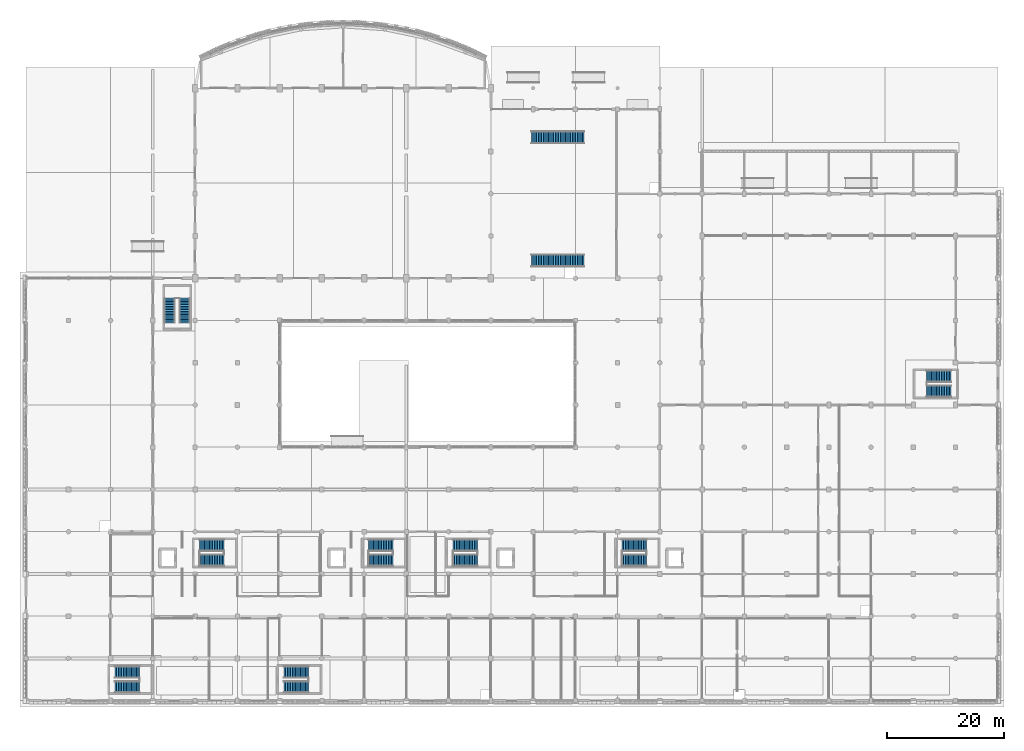
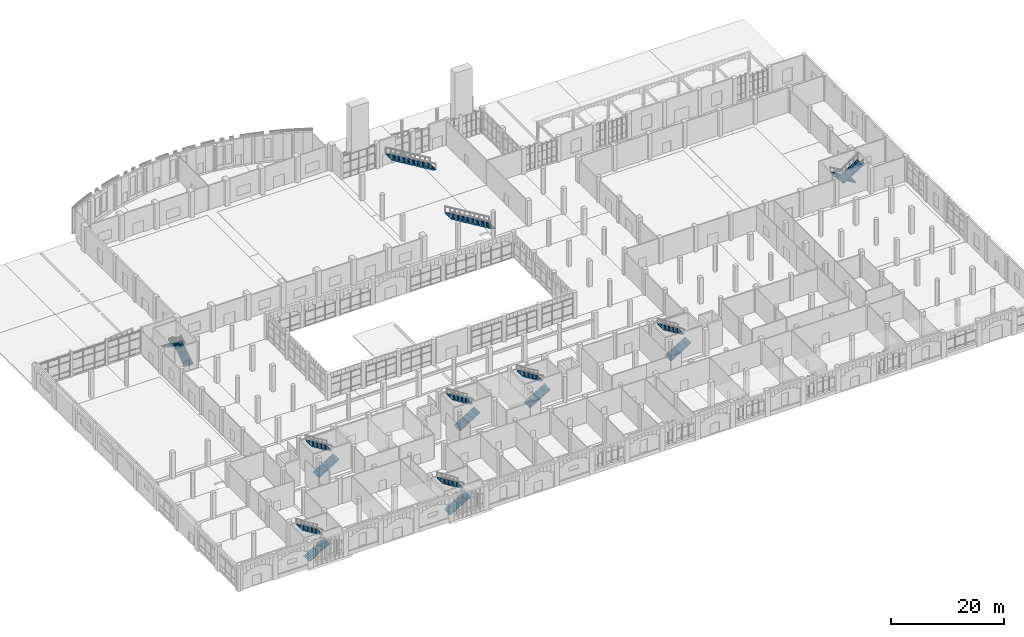
# One storey, part 65 of 85: 18 stair flights, 10 elements without a shape of their own.
"""IFC4 building model written with IfcOpenShell, lengths in metres."""

import ifcopenshell
import ifcopenshell.guid

model = None  # the IFC model being written
_history = None  # IfcOwnerHistory: only IFC2X3 demands one
_inside = {}  # id of a spatial element -> (the spatial element, [elements in it])
_under = {}  # id of a project, library or spatial element -> (it, [spatial elements below it])
_declared = {}  # id of a project -> (the project, [libraries it declares])
_typed = {}  # id of a type object -> (the type object, [elements of that type])
_made_of = {}  # id of a material, layer set ... -> (it, [elements and type objects made of it])


def new_model(schema):
    """Start an empty IFC model of exactly this schema.

    Asked for "IFC4X3", IfcOpenShell would pick the latest addendum, in which some entities
    have other attributes; the version numbers below select the first issue.
    IFC2X3 requires an IfcOwnerHistory on every rooted entity: one is made here for all.
    """
    global model, _history
    if schema == "IFC4X3":
        model = ifcopenshell.file(schema_version=(4, 3, 0, 0))
    else:
        model = ifcopenshell.file(schema=schema)
    _inside.clear()
    _under.clear()
    _declared.clear()
    _typed.clear()
    _made_of.clear()
    _history = None
    if model.schema == "IFC2X3":
        org = make("IfcOrganization", Name="unknown")
        user = make(
            "IfcPersonAndOrganization",
            ThePerson=make("IfcPerson", FamilyName="unknown"),
            TheOrganization=org,
        )
        app = make(
            "IfcApplication",
            ApplicationDeveloper=org,
            Version="unknown",
            ApplicationFullName="unknown",
            ApplicationIdentifier="unknown",
        )
        _history = make(
            "IfcOwnerHistory",
            OwningUser=user,
            OwningApplication=app,
            ChangeAction="ADDED",
            CreationDate=0,
        )
    return model


def make(cls, **values):
    """One entity of the class cls with the attributes given. An attribute that is None is left unset."""
    return model.create_entity(
        cls, **{name: value for name, value in values.items() if value is not None}
    )


def rooted(cls, **values):
    """An entity with a GlobalId (a new one), such as an element, a storey or a relation."""
    return make(cls, GlobalId=ifcopenshell.guid.new(), OwnerHistory=_history, **values)


def si_unit(unit_type, name, prefix=None):
    """IfcSIUnit, for example si_unit("LENGTHUNIT", "METRE", prefix="MILLI")."""
    return make("IfcSIUnit", UnitType=unit_type, Prefix=prefix, Name=name)


def assignment(units):
    """IfcUnitAssignment: the units of a project."""
    return None if units is None else make("IfcUnitAssignment", Units=units)


def point(xyz):
    """IfcCartesianPoint."""
    return None if xyz is None else make("IfcCartesianPoint", Coordinates=xyz)


def direction(xyz):
    """IfcDirection."""
    return None if xyz is None else make("IfcDirection", DirectionRatios=xyz)


def frame(location, z_axis=None, x_axis=None):
    """IfcAxis2Placement3D, a coordinate frame: its origin and axes. An axis left out is left unset."""
    return make(
        "IfcAxis2Placement3D",
        Location=point(location),
        Axis=direction(z_axis),
        RefDirection=direction(x_axis),
    )


def origin():
    """The frame at (0, 0, 0) with its axes left unset."""
    return frame((0.0, 0.0, 0.0))


def place(relative_to, where):
    """IfcLocalPlacement: puts the frame where relative to a parent placement (None: the world)."""
    return make(
        "IfcLocalPlacement", PlacementRelTo=relative_to, RelativePlacement=where
    )


def context(
    kind, dimensions, precision=None, world=None, true_north=None, identifier=None
):
    """IfcGeometricRepresentationContext, for example the 3D "Model" context."""
    return make(
        "IfcGeometricRepresentationContext",
        ContextIdentifier=identifier,
        ContextType=kind,
        CoordinateSpaceDimension=dimensions,
        Precision=precision,
        WorldCoordinateSystem=world,
        TrueNorth=true_north,
    )


def subcontext(parent, identifier, kind, view, scale=None):
    """IfcGeometricRepresentationSubContext, for example "Body" below "Model"."""
    return make(
        "IfcGeometricRepresentationSubContext",
        ContextIdentifier=identifier,
        ContextType=kind,
        ParentContext=parent,
        TargetScale=scale,
        TargetView=view,
    )


def project(units=None, contexts=None):
    """IfcProject with its units and contexts."""
    return rooted(
        "IfcProject",
        Name="project",
        RepresentationContexts=contexts,
        UnitsInContext=assignment(units),
    )


def spatial(cls, under=None, at=None, **own):
    """A site, building, storey or space (cls), placed at a placement, below another one or the project."""
    s = rooted(cls, ObjectPlacement=at, **own)
    if under is not None:
        _under.setdefault(under.id(), (under, []))[1].append(s)
    return s


def polyline(points):
    """IfcPolyline through the points."""
    return make("IfcPolyline", Points=[point(p) for p in points])


def outline(outer, holes=None, kind="AREA"):
    """IfcArbitraryClosedProfileDef: a profile drawn as a closed curve; with holes, ...WithVoids."""
    if holes is None:
        return make("IfcArbitraryClosedProfileDef", ProfileType=kind, OuterCurve=outer)
    return make(
        "IfcArbitraryProfileDefWithVoids",
        ProfileType=kind,
        OuterCurve=outer,
        InnerCurves=holes,
    )


def extrude(swept, where, along, depth):
    """IfcExtrudedAreaSolid: the profile swept, set in the frame where, extruded along a direction by depth."""
    return make(
        "IfcExtrudedAreaSolid",
        SweptArea=swept,
        Position=where,
        ExtrudedDirection=direction(along),
        Depth=depth,
    )


def shape(context_of_items, identifier, shape_type, items):
    """IfcShapeRepresentation: the items that make up one representation, for example the "Body"."""
    return make(
        "IfcShapeRepresentation",
        ContextOfItems=context_of_items,
        RepresentationIdentifier=identifier,
        RepresentationType=shape_type,
        Items=items,
    )


def material(Name=None, Category=None):
    """IfcMaterial."""
    return make("IfcMaterial", Name=Name, Category=Category)


def made_of(thing, what):
    """Note that an element or type object is made of a material, layer set ...; save() writes the relation."""
    if what is not None:
        _made_of.setdefault(what.id(), (what, []))[1].append(thing)
    return thing


def type_object(cls, material=None, **own):
    """A type object (cls), such as IfcWallType, which elements share."""
    return made_of(rooted(cls, **own), material)


def element(
    cls,
    number,
    at=None,
    inside=None,
    cuts=None,
    type_object=None,
    material=None,
    context=None,
    identifier="Body",
    shape_type=None,
    held_by="IfcProductDefinitionShape",
    body=None,
    shapes=None,
    **own,
):
    """One element of the class cls, such as IfcWall. Its Tag is "e" and its number.

    at: its placement. inside: the storey or other place that contains it. cuts: it is an
    opening in that element (IfcRelVoidsElement). A single representation is given by context,
    identifier, shape_type and body (its items); several are given by shapes. held_by: the class
    of the entity that holds the representations. save() writes the other relations.
    """
    e = rooted(cls, Tag="e%d" % number, ObjectPlacement=at, **own)
    if body is not None:
        shapes = [shape(context, identifier, shape_type, body)]
    if shapes is not None:
        e.Representation = make(held_by, Representations=shapes)
    if inside is not None:
        _inside.setdefault(inside.id(), (inside, []))[1].append(e)
    if cuts is not None:
        rooted(
            "IfcRelVoidsElement", RelatingBuildingElement=cuts, RelatedOpeningElement=e
        )
    if type_object is not None:
        _typed.setdefault(type_object.id(), (type_object, []))[1].append(e)
    return made_of(e, material)


def aggregate(whole, parts):
    """IfcRelAggregates: a whole, such as a stair, and the parts it consists of."""
    return rooted("IfcRelAggregates", RelatingObject=whole, RelatedObjects=parts)


def save(model, path):
    """Write the relations noted so far, then the file.

    IfcRelAggregates (storeys below a building ...), IfcRelContainedInSpatialStructure (elements
    in a storey), IfcRelDefinesByType, IfcRelAssociatesMaterial and IfcRelDeclares: one each for
    every whole, place, type object, material and project.
    """
    for whole, parts in _under.values():
        aggregate(whole, parts)
    for where, things in _inside.values():
        rooted(
            "IfcRelContainedInSpatialStructure",
            RelatedElements=things,
            RelatingStructure=where,
        )
    for kind, things in _typed.values():
        rooted("IfcRelDefinesByType", RelatedObjects=things, RelatingType=kind)
    for what, things in _made_of.values():
        rooted("IfcRelAssociatesMaterial", RelatedObjects=things, RelatingMaterial=what)
    for by, libraries in _declared.values():
        rooted("IfcRelDeclares", RelatingContext=by, RelatedDefinitions=libraries)
    model.write(path)


model = new_model("IFC4")

# Units and contexts
model_context = context("Model", 3, precision=1e-05, world=origin(), true_north=direction((0.0, 1.0)))
body_context = subcontext(model_context, "Body", "Model", "MODEL_VIEW")
ifc_project = project(units=[si_unit("LENGTHUNIT", "METRE"), si_unit("AREAUNIT", "SQUARE_METRE"), si_unit("VOLUMEUNIT", "CUBIC_METRE"), si_unit("PLANEANGLEUNIT", "RADIAN"), si_unit("MASSUNIT", "GRAM", prefix="KILO")], contexts=[model_context])

# Site, building, storey
site_placement = place(None, origin())
site = spatial("IfcSite", under=ifc_project, at=site_placement, CompositionType="ELEMENT")
building_placement = place(site_placement, origin())
building = spatial("IfcBuilding", under=site, at=building_placement, Name="Sardonyx Promenade Sports Hall", CompositionType="ELEMENT")
storey_placement = place(building_placement, origin())
storey = spatial("IfcBuildingStorey", under=building, at=storey_placement, Name="L00", CompositionType="ELEMENT", Elevation=0.0)

# Stair, stair flights
ifc_material_1 = material(Name="Concrete C40/50", Category="concrete")
stair_type_1 = type_object("IfcStairType", Name="Stair_Esc_Std_560", PredefinedType="HALF_TURN_STAIR", material=ifc_material_1)
stair_1_placement = place(storey_placement, origin())
stair_1 = element("IfcStair", 1, at=stair_1_placement, inside=storey, type_object=stair_type_1, Name="Protected escape stair ST1 (L00 to L01)", PredefinedType="HALF_TURN_STAIR")
ifc_material_2 = material(Name="Concrete C40/50", Category="concrete")
stair_flight_type_1 = type_object("IfcStairFlightType", Name="Flt_Esc_560", PredefinedType="STRAIGHT", material=ifc_material_2)
stair_flight_1_placement = place(storey_placement, frame((29.550048828125, 23.925048828125, 0.0), z_axis=(0.0, 0.0, 1.0), x_axis=(1.0, 0.0, 0.0)))
stair_flight_1 = element("IfcStairFlight", 2, at=stair_flight_1_placement, type_object=stair_flight_type_1, Name="Stair ST1 L00 flight 1", NumberOfRisers=16, NumberOfTreads=15, PredefinedType="STRAIGHT", RiserHeight=0.175, TreadLength=0.28, context=body_context, shape_type="SweptSolid", body=[
    extrude(outline(polyline([(0.0, 0.0), (0.0, 0.175048828125), (0.280029296875, 0.175048828125), (0.280029296875, 0.35009765625), (0.56005859375, 0.35009765625), (0.56005859375, 0.52490234375), (0.840087890625, 0.52490234375), (0.840087890625, 0.699951171875), (1.1201171875, 0.699951171875), (1.1201171875, 0.875), (1.39990234375, 0.875), (1.39990234375, 1.050048828125), (1.679931640625, 1.050048828125), (1.679931640625, 1.22509765625), (1.9599609375, 1.22509765625), (1.9599609375, 1.39990234375), (2.239990234375, 1.39990234375), (2.239990234375, 1.574951171875), (2.52001953125, 1.574951171875), (2.52001953125, 1.75), (2.800048828125, 1.75), (2.800048828125, 1.925048828125), (3.080078125, 1.925048828125), (3.080078125, 2.10009765625), (3.360107421875, 2.10009765625), (3.360107421875, 2.27490234375), (3.639892578125, 2.27490234375), (3.639892578125, 2.449951171875), (3.919921875, 2.449951171875), (3.919921875, 2.625), (4.199951171875, 2.625), (4.199951171875, 2.800048828125), (4.199951171875, 2.412841796875), (0.339599609375, 0.0), (0.0, 0.0)])), frame((0.0, 1.0, 0.0), z_axis=(0.0, -1.0, 0.0), x_axis=(1.0, 0.0, 0.0)), (0.0, 0.0, 1.0), 2.0),
])
stair_flight_2_placement = place(storey_placement, frame((33.75, 26.47509765625, 2.800048828125), z_axis=(0.0, 0.0, 1.0), x_axis=(-1.0, 0.0, 0.0)))
stair_flight_2 = element("IfcStairFlight", 3, at=stair_flight_2_placement, type_object=stair_flight_type_1, Name="Stair ST1 L00 flight 2", NumberOfRisers=16, NumberOfTreads=15, PredefinedType="STRAIGHT", RiserHeight=0.175, TreadLength=0.28, context=body_context, shape_type="SweptSolid", body=[
    extrude(outline(polyline([(0.0, 0.0), (0.0, 0.175048828125), (0.280029296875, 0.175048828125), (0.280029296875, 0.35009765625), (0.56005859375, 0.35009765625), (0.56005859375, 0.52490234375), (0.840087890625, 0.52490234375), (0.840087890625, 0.699951171875), (1.1201171875, 0.699951171875), (1.1201171875, 0.875), (1.39990234375, 0.875), (1.39990234375, 1.050048828125), (1.679931640625, 1.050048828125), (1.679931640625, 1.22509765625), (1.9599609375, 1.22509765625), (1.9599609375, 1.39990234375), (2.239990234375, 1.39990234375), (2.239990234375, 1.574951171875), (2.52001953125, 1.574951171875), (2.52001953125, 1.75), (2.800048828125, 1.75), (2.800048828125, 1.925048828125), (3.080078125, 1.925048828125), (3.080078125, 2.10009765625), (3.360107421875, 2.10009765625), (3.360107421875, 2.27490234375), (3.639892578125, 2.27490234375), (3.639892578125, 2.449951171875), (3.919921875, 2.449951171875), (3.919921875, 2.625), (4.199951171875, 2.625), (4.199951171875, 2.800048828125), (4.199951171875, 2.412841796875), (0.339599609375, 0.0), (0.0, 0.0)])), frame((0.0, 1.0, 0.0), z_axis=(0.0, -1.0, 0.0), x_axis=(1.0, 0.0, 0.0)), (0.0, 0.0, 1.0), 2.0),
])
aggregate(stair_1, [stair_flight_1, stair_flight_2])

stair_2_placement = place(storey_placement, origin())
stair_2 = element("IfcStair", 4, at=stair_2_placement, inside=storey, type_object=stair_type_1, Name="Protected escape stair ST2 (L00 to L01)", PredefinedType="HALF_TURN_STAIR")
stair_flight_3_placement = place(storey_placement, frame((101.550048828125, 23.925048828125, 0.0), z_axis=(0.0, 0.0, 1.0), x_axis=(1.0, 0.0, 0.0)))
stair_flight_3 = element("IfcStairFlight", 5, at=stair_flight_3_placement, type_object=stair_flight_type_1, Name="Stair ST2 L00 flight 1", NumberOfRisers=16, NumberOfTreads=15, PredefinedType="STRAIGHT", RiserHeight=0.175, TreadLength=0.28, context=body_context, shape_type="SweptSolid", body=[
    extrude(outline(polyline([(0.0, 0.0), (0.0, 0.175048828125), (0.280029296875, 0.175048828125), (0.280029296875, 0.35009765625), (0.56005859375, 0.35009765625), (0.56005859375, 0.52490234375), (0.840087890625, 0.52490234375), (0.840087890625, 0.699951171875), (1.1201171875, 0.699951171875), (1.1201171875, 0.875), (1.39990234375, 0.875), (1.39990234375, 1.050048828125), (1.679931640625, 1.050048828125), (1.679931640625, 1.22509765625), (1.9599609375, 1.22509765625), (1.9599609375, 1.39990234375), (2.239990234375, 1.39990234375), (2.239990234375, 1.574951171875), (2.52001953125, 1.574951171875), (2.52001953125, 1.75), (2.800048828125, 1.75), (2.800048828125, 1.925048828125), (3.080078125, 1.925048828125), (3.080078125, 2.10009765625), (3.360107421875, 2.10009765625), (3.360107421875, 2.27490234375), (3.639892578125, 2.27490234375), (3.639892578125, 2.449951171875), (3.919921875, 2.449951171875), (3.919921875, 2.625), (4.199951171875, 2.625), (4.199951171875, 2.800048828125), (4.199951171875, 2.412841796875), (0.339599609375, 0.0), (0.0, 0.0)])), frame((0.0, 1.0, 0.0), z_axis=(0.0, -1.0, 0.0), x_axis=(1.0, 0.0, 0.0)), (0.0, 0.0, 1.0), 2.0),
])
stair_flight_4_placement = place(storey_placement, frame((105.75, 26.47509765625, 2.800048828125), z_axis=(0.0, 0.0, 1.0), x_axis=(-1.0, 0.0, 0.0)))
stair_flight_4 = element("IfcStairFlight", 6, at=stair_flight_4_placement, type_object=stair_flight_type_1, Name="Stair ST2 L00 flight 2", NumberOfRisers=16, NumberOfTreads=15, PredefinedType="STRAIGHT", RiserHeight=0.175, TreadLength=0.28, context=body_context, shape_type="SweptSolid", body=[
    extrude(outline(polyline([(0.0, 0.0), (0.0, 0.175048828125), (0.280029296875, 0.175048828125), (0.280029296875, 0.35009765625), (0.56005859375, 0.35009765625), (0.56005859375, 0.52490234375), (0.840087890625, 0.52490234375), (0.840087890625, 0.699951171875), (1.1201171875, 0.699951171875), (1.1201171875, 0.875), (1.39990234375, 0.875), (1.39990234375, 1.050048828125), (1.679931640625, 1.050048828125), (1.679931640625, 1.22509765625), (1.9599609375, 1.22509765625), (1.9599609375, 1.39990234375), (2.239990234375, 1.39990234375), (2.239990234375, 1.574951171875), (2.52001953125, 1.574951171875), (2.52001953125, 1.75), (2.800048828125, 1.75), (2.800048828125, 1.925048828125), (3.080078125, 1.925048828125), (3.080078125, 2.10009765625), (3.360107421875, 2.10009765625), (3.360107421875, 2.27490234375), (3.639892578125, 2.27490234375), (3.639892578125, 2.449951171875), (3.919921875, 2.449951171875), (3.919921875, 2.625), (4.199951171875, 2.625), (4.199951171875, 2.800048828125), (4.199951171875, 2.412841796875), (0.339599609375, 0.0), (0.0, 0.0)])), frame((0.0, 1.0, 0.0), z_axis=(0.0, -1.0, 0.0), x_axis=(1.0, 0.0, 0.0)), (0.0, 0.0, 1.0), 2.0),
])
aggregate(stair_2, [stair_flight_3, stair_flight_4])

stair_3_placement = place(storey_placement, origin())
stair_3 = element("IfcStair", 7, at=stair_3_placement, inside=storey, type_object=stair_type_1, Name="Protected escape stair ST3 (L00 to L01)", PredefinedType="HALF_TURN_STAIR")
stair_flight_5_placement = place(storey_placement, frame((58.35009765625, 23.925048828125, 0.0), z_axis=(0.0, 0.0, 1.0), x_axis=(1.0, 0.0, 0.0)))
stair_flight_5 = element("IfcStairFlight", 8, at=stair_flight_5_placement, type_object=stair_flight_type_1, Name="Stair ST3 L00 flight 1", NumberOfRisers=16, NumberOfTreads=15, PredefinedType="STRAIGHT", RiserHeight=0.175, TreadLength=0.28, context=body_context, shape_type="SweptSolid", body=[
    extrude(outline(polyline([(0.0, 0.0), (0.0, 0.175048828125), (0.280029296875, 0.175048828125), (0.280029296875, 0.35009765625), (0.56005859375, 0.35009765625), (0.56005859375, 0.52490234375), (0.840087890625, 0.52490234375), (0.840087890625, 0.699951171875), (1.1201171875, 0.699951171875), (1.1201171875, 0.875), (1.39990234375, 0.875), (1.39990234375, 1.050048828125), (1.679931640625, 1.050048828125), (1.679931640625, 1.22509765625), (1.9599609375, 1.22509765625), (1.9599609375, 1.39990234375), (2.239990234375, 1.39990234375), (2.239990234375, 1.574951171875), (2.52001953125, 1.574951171875), (2.52001953125, 1.75), (2.800048828125, 1.75), (2.800048828125, 1.925048828125), (3.080078125, 1.925048828125), (3.080078125, 2.10009765625), (3.360107421875, 2.10009765625), (3.360107421875, 2.27490234375), (3.639892578125, 2.27490234375), (3.639892578125, 2.449951171875), (3.919921875, 2.449951171875), (3.919921875, 2.625), (4.199951171875, 2.625), (4.199951171875, 2.800048828125), (4.199951171875, 2.412841796875), (0.339599609375, 0.0), (0.0, 0.0)])), frame((0.0, 1.0, 0.0), z_axis=(0.0, -1.0, 0.0), x_axis=(1.0, 0.0, 0.0)), (0.0, 0.0, 1.0), 2.0),
])
stair_flight_6_placement = place(storey_placement, frame((62.550048828125, 26.47509765625, 2.800048828125), z_axis=(0.0, 0.0, 1.0), x_axis=(-1.0, 0.0, 0.0)))
stair_flight_6 = element("IfcStairFlight", 9, at=stair_flight_6_placement, type_object=stair_flight_type_1, Name="Stair ST3 L00 flight 2", NumberOfRisers=16, NumberOfTreads=15, PredefinedType="STRAIGHT", RiserHeight=0.175, TreadLength=0.28, context=body_context, shape_type="SweptSolid", body=[
    extrude(outline(polyline([(0.0, 0.0), (0.0, 0.175048828125), (0.280029296875, 0.175048828125), (0.280029296875, 0.35009765625), (0.56005859375, 0.35009765625), (0.56005859375, 0.52490234375), (0.840087890625, 0.52490234375), (0.840087890625, 0.699951171875), (1.1201171875, 0.699951171875), (1.1201171875, 0.875), (1.39990234375, 0.875), (1.39990234375, 1.050048828125), (1.679931640625, 1.050048828125), (1.679931640625, 1.22509765625), (1.9599609375, 1.22509765625), (1.9599609375, 1.39990234375), (2.239990234375, 1.39990234375), (2.239990234375, 1.574951171875), (2.52001953125, 1.574951171875), (2.52001953125, 1.75), (2.800048828125, 1.75), (2.800048828125, 1.925048828125), (3.080078125, 1.925048828125), (3.080078125, 2.10009765625), (3.360107421875, 2.10009765625), (3.360107421875, 2.27490234375), (3.639892578125, 2.27490234375), (3.639892578125, 2.449951171875), (3.919921875, 2.449951171875), (3.919921875, 2.625), (4.199951171875, 2.625), (4.199951171875, 2.800048828125), (4.199951171875, 2.412841796875), (0.339599609375, 0.0), (0.0, 0.0)])), frame((0.0, 1.0, 0.0), z_axis=(0.0, -1.0, 0.0), x_axis=(1.0, 0.0, 0.0)), (0.0, 0.0, 1.0), 2.0),
])
aggregate(stair_3, [stair_flight_5, stair_flight_6])

stair_4_placement = place(storey_placement, origin())
stair_4 = element("IfcStair", 10, at=stair_4_placement, inside=storey, type_object=stair_type_1, Name="Protected escape stair ST4 (L00 to L01)", PredefinedType="HALF_TURN_STAIR")
stair_flight_7_placement = place(storey_placement, frame((72.75, 23.925048828125, 0.0), z_axis=(0.0, 0.0, 1.0), x_axis=(1.0, 0.0, 0.0)))
stair_flight_7 = element("IfcStairFlight", 11, at=stair_flight_7_placement, type_object=stair_flight_type_1, Name="Stair ST4 L00 flight 1", NumberOfRisers=16, NumberOfTreads=15, PredefinedType="STRAIGHT", RiserHeight=0.175, TreadLength=0.28, context=body_context, shape_type="SweptSolid", body=[
    extrude(outline(polyline([(0.0, 0.0), (0.0, 0.175048828125), (0.280029296875, 0.175048828125), (0.280029296875, 0.35009765625), (0.56005859375, 0.35009765625), (0.56005859375, 0.52490234375), (0.840087890625, 0.52490234375), (0.840087890625, 0.699951171875), (1.1201171875, 0.699951171875), (1.1201171875, 0.875), (1.39990234375, 0.875), (1.39990234375, 1.050048828125), (1.679931640625, 1.050048828125), (1.679931640625, 1.22509765625), (1.9599609375, 1.22509765625), (1.9599609375, 1.39990234375), (2.239990234375, 1.39990234375), (2.239990234375, 1.574951171875), (2.52001953125, 1.574951171875), (2.52001953125, 1.75), (2.800048828125, 1.75), (2.800048828125, 1.925048828125), (3.080078125, 1.925048828125), (3.080078125, 2.10009765625), (3.360107421875, 2.10009765625), (3.360107421875, 2.27490234375), (3.639892578125, 2.27490234375), (3.639892578125, 2.449951171875), (3.919921875, 2.449951171875), (3.919921875, 2.625), (4.199951171875, 2.625), (4.199951171875, 2.800048828125), (4.199951171875, 2.412841796875), (0.339599609375, 0.0), (0.0, 0.0)])), frame((0.0, 1.0, 0.0), z_axis=(0.0, -1.0, 0.0), x_axis=(1.0, 0.0, 0.0)), (0.0, 0.0, 1.0), 2.0),
])
stair_flight_8_placement = place(storey_placement, frame((76.949951171875, 26.47509765625, 2.800048828125), z_axis=(0.0, 0.0, 1.0), x_axis=(-1.0, 0.0, 0.0)))
stair_flight_8 = element("IfcStairFlight", 12, at=stair_flight_8_placement, type_object=stair_flight_type_1, Name="Stair ST4 L00 flight 2", NumberOfRisers=16, NumberOfTreads=15, PredefinedType="STRAIGHT", RiserHeight=0.175, TreadLength=0.28, context=body_context, shape_type="SweptSolid", body=[
    extrude(outline(polyline([(0.0, 0.0), (0.0, 0.175048828125), (0.280029296875, 0.175048828125), (0.280029296875, 0.35009765625), (0.56005859375, 0.35009765625), (0.56005859375, 0.52490234375), (0.840087890625, 0.52490234375), (0.840087890625, 0.699951171875), (1.1201171875, 0.699951171875), (1.1201171875, 0.875), (1.39990234375, 0.875), (1.39990234375, 1.050048828125), (1.679931640625, 1.050048828125), (1.679931640625, 1.22509765625), (1.9599609375, 1.22509765625), (1.9599609375, 1.39990234375), (2.239990234375, 1.39990234375), (2.239990234375, 1.574951171875), (2.52001953125, 1.574951171875), (2.52001953125, 1.75), (2.800048828125, 1.75), (2.800048828125, 1.925048828125), (3.080078125, 1.925048828125), (3.080078125, 2.10009765625), (3.360107421875, 2.10009765625), (3.360107421875, 2.27490234375), (3.639892578125, 2.27490234375), (3.639892578125, 2.449951171875), (3.919921875, 2.449951171875), (3.919921875, 2.625), (4.199951171875, 2.625), (4.199951171875, 2.800048828125), (4.199951171875, 2.412841796875), (0.339599609375, 0.0), (0.0, 0.0)])), frame((0.0, 1.0, 0.0), z_axis=(0.0, -1.0, 0.0), x_axis=(1.0, 0.0, 0.0)), (0.0, 0.0, 1.0), 2.0),
])
aggregate(stair_4, [stair_flight_7, stair_flight_8])

stair_5_placement = place(storey_placement, origin())
stair_5 = element("IfcStair", 13, at=stair_5_placement, inside=storey, type_object=stair_type_1, Name="Protected escape stair ST5 (L00 to L01)", PredefinedType="HALF_TURN_STAIR")
stair_flight_9_placement = place(storey_placement, frame((15.14990234375, 2.324951171875, 0.0), z_axis=(0.0, 0.0, 1.0), x_axis=(1.0, 0.0, 0.0)))
stair_flight_9 = element("IfcStairFlight", 14, at=stair_flight_9_placement, type_object=stair_flight_type_1, Name="Stair ST5 L00 flight 1", NumberOfRisers=16, NumberOfTreads=15, PredefinedType="STRAIGHT", RiserHeight=0.175, TreadLength=0.28, context=body_context, shape_type="SweptSolid", body=[
    extrude(outline(polyline([(0.0, 0.0), (0.0, 0.175048828125), (0.280029296875, 0.175048828125), (0.280029296875, 0.35009765625), (0.56005859375, 0.35009765625), (0.56005859375, 0.52490234375), (0.840087890625, 0.52490234375), (0.840087890625, 0.699951171875), (1.1201171875, 0.699951171875), (1.1201171875, 0.875), (1.39990234375, 0.875), (1.39990234375, 1.050048828125), (1.679931640625, 1.050048828125), (1.679931640625, 1.22509765625), (1.9599609375, 1.22509765625), (1.9599609375, 1.39990234375), (2.239990234375, 1.39990234375), (2.239990234375, 1.574951171875), (2.52001953125, 1.574951171875), (2.52001953125, 1.75), (2.800048828125, 1.75), (2.800048828125, 1.925048828125), (3.080078125, 1.925048828125), (3.080078125, 2.10009765625), (3.360107421875, 2.10009765625), (3.360107421875, 2.27490234375), (3.639892578125, 2.27490234375), (3.639892578125, 2.449951171875), (3.919921875, 2.449951171875), (3.919921875, 2.625), (4.199951171875, 2.625), (4.199951171875, 2.800048828125), (4.199951171875, 2.412841796875), (0.339599609375, 0.0), (0.0, 0.0)])), frame((0.0, 1.0, 0.0), z_axis=(0.0, -1.0, 0.0), x_axis=(1.0, 0.0, 0.0)), (0.0, 0.0, 1.0), 2.0),
])
stair_flight_10_placement = place(storey_placement, frame((19.35009765625, 4.875, 2.800048828125), z_axis=(0.0, 0.0, 1.0), x_axis=(-1.0, 0.0, 0.0)))
stair_flight_10 = element("IfcStairFlight", 15, at=stair_flight_10_placement, type_object=stair_flight_type_1, Name="Stair ST5 L00 flight 2", NumberOfRisers=16, NumberOfTreads=15, PredefinedType="STRAIGHT", RiserHeight=0.175, TreadLength=0.28, context=body_context, shape_type="SweptSolid", body=[
    extrude(outline(polyline([(0.0, 0.0), (0.0, 0.175048828125), (0.280029296875, 0.175048828125), (0.280029296875, 0.35009765625), (0.56005859375, 0.35009765625), (0.56005859375, 0.52490234375), (0.840087890625, 0.52490234375), (0.840087890625, 0.699951171875), (1.1201171875, 0.699951171875), (1.1201171875, 0.875), (1.39990234375, 0.875), (1.39990234375, 1.050048828125), (1.679931640625, 1.050048828125), (1.679931640625, 1.22509765625), (1.9599609375, 1.22509765625), (1.9599609375, 1.39990234375), (2.239990234375, 1.39990234375), (2.239990234375, 1.574951171875), (2.52001953125, 1.574951171875), (2.52001953125, 1.75), (2.800048828125, 1.75), (2.800048828125, 1.925048828125), (3.080078125, 1.925048828125), (3.080078125, 2.10009765625), (3.360107421875, 2.10009765625), (3.360107421875, 2.27490234375), (3.639892578125, 2.27490234375), (3.639892578125, 2.449951171875), (3.919921875, 2.449951171875), (3.919921875, 2.625), (4.199951171875, 2.625), (4.199951171875, 2.800048828125), (4.199951171875, 2.412841796875), (0.339599609375, 0.0), (0.0, 0.0)])), frame((0.0, 1.0, 0.0), z_axis=(0.0, -1.0, 0.0), x_axis=(1.0, 0.0, 0.0)), (0.0, 0.0, 1.0), 2.0),
])
aggregate(stair_5, [stair_flight_9, stair_flight_10])

stair_6_placement = place(storey_placement, origin())
stair_6 = element("IfcStair", 16, at=stair_6_placement, inside=storey, type_object=stair_type_1, Name="Protected escape stair ST6 (L00 to L01)", PredefinedType="HALF_TURN_STAIR")
stair_flight_11_placement = place(storey_placement, frame((43.949951171875, 2.324951171875, 0.0), z_axis=(0.0, 0.0, 1.0), x_axis=(1.0, 0.0, 0.0)))
stair_flight_11 = element("IfcStairFlight", 17, at=stair_flight_11_placement, type_object=stair_flight_type_1, Name="Stair ST6 L00 flight 1", NumberOfRisers=16, NumberOfTreads=15, PredefinedType="STRAIGHT", RiserHeight=0.175, TreadLength=0.28, context=body_context, shape_type="SweptSolid", body=[
    extrude(outline(polyline([(0.0, 0.0), (0.0, 0.175048828125), (0.280029296875, 0.175048828125), (0.280029296875, 0.35009765625), (0.56005859375, 0.35009765625), (0.56005859375, 0.52490234375), (0.840087890625, 0.52490234375), (0.840087890625, 0.699951171875), (1.1201171875, 0.699951171875), (1.1201171875, 0.875), (1.39990234375, 0.875), (1.39990234375, 1.050048828125), (1.679931640625, 1.050048828125), (1.679931640625, 1.22509765625), (1.9599609375, 1.22509765625), (1.9599609375, 1.39990234375), (2.239990234375, 1.39990234375), (2.239990234375, 1.574951171875), (2.52001953125, 1.574951171875), (2.52001953125, 1.75), (2.800048828125, 1.75), (2.800048828125, 1.925048828125), (3.080078125, 1.925048828125), (3.080078125, 2.10009765625), (3.360107421875, 2.10009765625), (3.360107421875, 2.27490234375), (3.639892578125, 2.27490234375), (3.639892578125, 2.449951171875), (3.919921875, 2.449951171875), (3.919921875, 2.625), (4.199951171875, 2.625), (4.199951171875, 2.800048828125), (4.199951171875, 2.412841796875), (0.339599609375, 0.0), (0.0, 0.0)])), frame((0.0, 1.0, 0.0), z_axis=(0.0, -1.0, 0.0), x_axis=(1.0, 0.0, 0.0)), (0.0, 0.0, 1.0), 2.0),
])
stair_flight_12_placement = place(storey_placement, frame((48.14990234375, 4.875, 2.800048828125), z_axis=(0.0, 0.0, 1.0), x_axis=(-1.0, 0.0, 0.0)))
stair_flight_12 = element("IfcStairFlight", 18, at=stair_flight_12_placement, type_object=stair_flight_type_1, Name="Stair ST6 L00 flight 2", NumberOfRisers=16, NumberOfTreads=15, PredefinedType="STRAIGHT", RiserHeight=0.175, TreadLength=0.28, context=body_context, shape_type="SweptSolid", body=[
    extrude(outline(polyline([(0.0, 0.0), (0.0, 0.175048828125), (0.280029296875, 0.175048828125), (0.280029296875, 0.35009765625), (0.56005859375, 0.35009765625), (0.56005859375, 0.52490234375), (0.840087890625, 0.52490234375), (0.840087890625, 0.699951171875), (1.1201171875, 0.699951171875), (1.1201171875, 0.875), (1.39990234375, 0.875), (1.39990234375, 1.050048828125), (1.679931640625, 1.050048828125), (1.679931640625, 1.22509765625), (1.9599609375, 1.22509765625), (1.9599609375, 1.39990234375), (2.239990234375, 1.39990234375), (2.239990234375, 1.574951171875), (2.52001953125, 1.574951171875), (2.52001953125, 1.75), (2.800048828125, 1.75), (2.800048828125, 1.925048828125), (3.080078125, 1.925048828125), (3.080078125, 2.10009765625), (3.360107421875, 2.10009765625), (3.360107421875, 2.27490234375), (3.639892578125, 2.27490234375), (3.639892578125, 2.449951171875), (3.919921875, 2.449951171875), (3.919921875, 2.625), (4.199951171875, 2.625), (4.199951171875, 2.800048828125), (4.199951171875, 2.412841796875), (0.339599609375, 0.0), (0.0, 0.0)])), frame((0.0, 1.0, 0.0), z_axis=(0.0, -1.0, 0.0), x_axis=(1.0, 0.0, 0.0)), (0.0, 0.0, 1.0), 2.0),
])
aggregate(stair_6, [stair_flight_11, stair_flight_12])

stair_7_placement = place(storey_placement, origin())
stair_7 = element("IfcStair", 19, at=stair_7_placement, inside=storey, type_object=stair_type_1, Name="Protected escape stair ST7 (L00 to L01)", PredefinedType="HALF_TURN_STAIR")
stair_flight_13_placement = place(storey_placement, frame((27.02490234375, 64.39990234375, 0.0), z_axis=(0.0, 0.0, 1.0), x_axis=(0.0, 1.0, 0.0)))
stair_flight_13 = element("IfcStairFlight", 20, at=stair_flight_13_placement, type_object=stair_flight_type_1, Name="Stair ST7 L00 flight 1", NumberOfRisers=16, NumberOfTreads=15, PredefinedType="STRAIGHT", RiserHeight=0.175, TreadLength=0.28, context=body_context, shape_type="SweptSolid", body=[
    extrude(outline(polyline([(0.0, 0.0), (0.0, 0.175048828125), (0.280029296875, 0.175048828125), (0.280029296875, 0.35009765625), (0.56005859375, 0.35009765625), (0.56005859375, 0.52490234375), (0.840087890625, 0.52490234375), (0.840087890625, 0.699951171875), (1.1201171875, 0.699951171875), (1.1201171875, 0.875), (1.39990234375, 0.875), (1.39990234375, 1.050048828125), (1.679931640625, 1.050048828125), (1.679931640625, 1.22509765625), (1.9599609375, 1.22509765625), (1.9599609375, 1.39990234375), (2.239990234375, 1.39990234375), (2.239990234375, 1.574951171875), (2.52001953125, 1.574951171875), (2.52001953125, 1.75), (2.800048828125, 1.75), (2.800048828125, 1.925048828125), (3.080078125, 1.925048828125), (3.080078125, 2.10009765625), (3.360107421875, 2.10009765625), (3.360107421875, 2.27490234375), (3.639892578125, 2.27490234375), (3.639892578125, 2.449951171875), (3.919921875, 2.449951171875), (3.919921875, 2.625), (4.199951171875, 2.625), (4.199951171875, 2.800048828125), (4.199951171875, 2.412841796875), (0.339599609375, 0.0), (0.0, 0.0)])), frame((0.0, 0.89990234375, 0.0), z_axis=(0.0, -1.0, 0.0), x_axis=(1.0, 0.0, 0.0)), (0.0, 0.0, 1.0), 1.800048828125),
])
stair_flight_14_placement = place(storey_placement, frame((24.47509765625, 68.60009765625, 2.800048828125), z_axis=(0.0, 0.0, 1.0), x_axis=(0.0, -1.0, 0.0)))
stair_flight_14 = element("IfcStairFlight", 21, at=stair_flight_14_placement, type_object=stair_flight_type_1, Name="Stair ST7 L00 flight 2", NumberOfRisers=16, NumberOfTreads=15, PredefinedType="STRAIGHT", RiserHeight=0.175, TreadLength=0.28, context=body_context, shape_type="SweptSolid", body=[
    extrude(outline(polyline([(0.0, 0.0), (0.0, 0.175048828125), (0.280029296875, 0.175048828125), (0.280029296875, 0.35009765625), (0.56005859375, 0.35009765625), (0.56005859375, 0.52490234375), (0.840087890625, 0.52490234375), (0.840087890625, 0.699951171875), (1.1201171875, 0.699951171875), (1.1201171875, 0.875), (1.39990234375, 0.875), (1.39990234375, 1.050048828125), (1.679931640625, 1.050048828125), (1.679931640625, 1.22509765625), (1.9599609375, 1.22509765625), (1.9599609375, 1.39990234375), (2.239990234375, 1.39990234375), (2.239990234375, 1.574951171875), (2.52001953125, 1.574951171875), (2.52001953125, 1.75), (2.800048828125, 1.75), (2.800048828125, 1.925048828125), (3.080078125, 1.925048828125), (3.080078125, 2.10009765625), (3.360107421875, 2.10009765625), (3.360107421875, 2.27490234375), (3.639892578125, 2.27490234375), (3.639892578125, 2.449951171875), (3.919921875, 2.449951171875), (3.919921875, 2.625), (4.199951171875, 2.625), (4.199951171875, 2.800048828125), (4.199951171875, 2.412841796875), (0.339599609375, 0.0), (0.0, 0.0)])), frame((0.0, 0.89990234375, 0.0), z_axis=(0.0, -1.0, 0.0), x_axis=(1.0, 0.0, 0.0)), (0.0, 0.0, 1.0), 1.800048828125),
])
aggregate(stair_7, [stair_flight_13, stair_flight_14])

stair_8_placement = place(storey_placement, origin())
stair_8 = element("IfcStair", 22, at=stair_8_placement, inside=storey, type_object=stair_type_1, Name="Protected escape stair ST8 (L00 to L01)", PredefinedType="HALF_TURN_STAIR")
stair_flight_15_placement = place(storey_placement, frame((157.64990234375, 55.27490234375, 0.0), z_axis=(0.0, 0.0, 1.0), x_axis=(-1.0, 0.0, 0.0)))
stair_flight_15 = element("IfcStairFlight", 23, at=stair_flight_15_placement, type_object=stair_flight_type_1, Name="Stair ST8 L00 flight 1", NumberOfRisers=16, NumberOfTreads=15, PredefinedType="STRAIGHT", RiserHeight=0.175, TreadLength=0.28, context=body_context, shape_type="SweptSolid", body=[
    extrude(outline(polyline([(0.0, 0.0), (0.0, 0.175048828125), (0.280029296875, 0.175048828125), (0.280029296875, 0.35009765625), (0.56005859375, 0.35009765625), (0.56005859375, 0.52490234375), (0.840087890625, 0.52490234375), (0.840087890625, 0.699951171875), (1.1201171875, 0.699951171875), (1.1201171875, 0.875), (1.39990234375, 0.875), (1.39990234375, 1.050048828125), (1.679931640625, 1.050048828125), (1.679931640625, 1.22509765625), (1.9599609375, 1.22509765625), (1.9599609375, 1.39990234375), (2.239990234375, 1.39990234375), (2.239990234375, 1.574951171875), (2.52001953125, 1.574951171875), (2.52001953125, 1.75), (2.800048828125, 1.75), (2.800048828125, 1.925048828125), (3.080078125, 1.925048828125), (3.080078125, 2.10009765625), (3.360107421875, 2.10009765625), (3.360107421875, 2.27490234375), (3.639892578125, 2.27490234375), (3.639892578125, 2.449951171875), (3.919921875, 2.449951171875), (3.919921875, 2.625), (4.199951171875, 2.625), (4.199951171875, 2.800048828125), (4.199951171875, 2.412841796875), (0.339599609375, 0.0), (0.0, 0.0)])), frame((0.0, 1.0, 0.0), z_axis=(0.0, -1.0, 0.0), x_axis=(1.0, 0.0, 0.0)), (0.0, 0.0, 1.0), 2.0),
])
stair_flight_16_placement = place(storey_placement, frame((153.449951171875, 52.72509765625, 2.800048828125), z_axis=(0.0, 0.0, 1.0), x_axis=(1.0, 0.0, 0.0)))
stair_flight_16 = element("IfcStairFlight", 24, at=stair_flight_16_placement, type_object=stair_flight_type_1, Name="Stair ST8 L00 flight 2", NumberOfRisers=16, NumberOfTreads=15, PredefinedType="STRAIGHT", RiserHeight=0.175, TreadLength=0.28, context=body_context, shape_type="SweptSolid", body=[
    extrude(outline(polyline([(0.0, 0.0), (0.0, 0.175048828125), (0.280029296875, 0.175048828125), (0.280029296875, 0.35009765625), (0.56005859375, 0.35009765625), (0.56005859375, 0.52490234375), (0.840087890625, 0.52490234375), (0.840087890625, 0.699951171875), (1.1201171875, 0.699951171875), (1.1201171875, 0.875), (1.39990234375, 0.875), (1.39990234375, 1.050048828125), (1.679931640625, 1.050048828125), (1.679931640625, 1.22509765625), (1.9599609375, 1.22509765625), (1.9599609375, 1.39990234375), (2.239990234375, 1.39990234375), (2.239990234375, 1.574951171875), (2.52001953125, 1.574951171875), (2.52001953125, 1.75), (2.800048828125, 1.75), (2.800048828125, 1.925048828125), (3.080078125, 1.925048828125), (3.080078125, 2.10009765625), (3.360107421875, 2.10009765625), (3.360107421875, 2.27490234375), (3.639892578125, 2.27490234375), (3.639892578125, 2.449951171875), (3.919921875, 2.449951171875), (3.919921875, 2.625), (4.199951171875, 2.625), (4.199951171875, 2.800048828125), (4.199951171875, 2.412841796875), (0.339599609375, 0.0), (0.0, 0.0)])), frame((0.0, 1.0, 0.0), z_axis=(0.0, -1.0, 0.0), x_axis=(1.0, 0.0, 0.0)), (0.0, 0.0, 1.0), 2.0),
])
aggregate(stair_8, [stair_flight_15, stair_flight_16])

# Stair, stair flight
ifc_material_3 = material(Name="Concrete C40/50", Category="concrete")
stair_type_2 = type_object("IfcStairType", Name="Stair_Feat_Foyer_560", PredefinedType="STRAIGHT_RUN_STAIR", material=ifc_material_3)
stair_9_placement = place(storey_placement, origin())
stair_9 = element("IfcStair", 25, at=stair_9_placement, inside=storey, type_object=stair_type_2, Name="Feature straight stair STF1 (L00 to L01)", PredefinedType="STRAIGHT_RUN_STAIR")
ifc_material_4 = material(Name="Concrete C40/50", Category="concrete")
stair_flight_type_2 = type_object("IfcStairFlightType", Name="Flt_Feat_560", PredefinedType="STRAIGHT", material=ifc_material_4)
stair_flight_17_placement = place(storey_placement, frame((95.110107421875, 75.0, 0.0), z_axis=(0.0, 0.0, 1.0), x_axis=(-1.0, 0.0, 0.0)))
stair_flight_17 = element("IfcStairFlight", 26, at=stair_flight_17_placement, type_object=stair_flight_type_2, Name="Feature stair flight STF1", NumberOfRisers=32, NumberOfTreads=31, PredefinedType="STRAIGHT", RiserHeight=0.175, TreadLength=0.29, context=body_context, shape_type="SweptSolid", body=[
    extrude(outline(polyline([(0.0, 0.0), (0.0, 0.175048828125), (0.2900390625, 0.175048828125), (0.2900390625, 0.35009765625), (0.580078125, 0.35009765625), (0.580078125, 0.52490234375), (0.8701171875, 0.52490234375), (0.8701171875, 0.699951171875), (1.159912109375, 0.699951171875), (1.159912109375, 0.875), (1.449951171875, 0.875), (1.449951171875, 1.050048828125), (1.739990234375, 1.050048828125), (1.739990234375, 1.22509765625), (2.030029296875, 1.22509765625), (2.030029296875, 1.39990234375), (2.320068359375, 1.39990234375), (2.320068359375, 1.574951171875), (2.610107421875, 1.574951171875), (2.610107421875, 1.75), (2.89990234375, 1.75), (2.89990234375, 1.925048828125), (3.18994140625, 1.925048828125), (3.18994140625, 2.10009765625), (3.47998046875, 2.10009765625), (3.47998046875, 2.27490234375), (3.77001953125, 2.27490234375), (3.77001953125, 2.449951171875), (4.06005859375, 2.449951171875), (4.06005859375, 2.625), (4.35009765625, 2.625), (4.35009765625, 2.800048828125), (4.639892578125, 2.800048828125), (4.639892578125, 2.97509765625), (4.929931640625, 2.97509765625), (4.929931640625, 3.14990234375), (5.219970703125, 3.14990234375), (5.219970703125, 3.324951171875), (5.510009765625, 3.324951171875), (5.510009765625, 3.5), (5.800048828125, 3.5), (5.800048828125, 3.675048828125), (6.090087890625, 3.675048828125), (6.090087890625, 3.85009765625), (6.3798828125, 3.85009765625), (6.3798828125, 4.02490234375), (6.669921875, 4.02490234375), (6.669921875, 4.199951171875), (6.9599609375, 4.199951171875), (6.9599609375, 4.375), (7.25, 4.375), (7.25, 4.550048828125), (7.5400390625, 4.550048828125), (7.5400390625, 4.72509765625), (7.830078125, 4.72509765625), (7.830078125, 4.89990234375), (8.1201171875, 4.89990234375), (8.1201171875, 5.074951171875), (8.409912109375, 5.074951171875), (8.409912109375, 5.25), (8.699951171875, 5.25), (8.699951171875, 5.425048828125), (8.989990234375, 5.425048828125), (8.989990234375, 5.60009765625), (8.989990234375, 5.16796875), (0.42578125, 0.0), (0.0, 0.0)])), frame((0.0, 1.050048828125, 0.0), z_axis=(0.0, -1.0, 0.0), x_axis=(1.0, 0.0, 0.0)), (0.0, 0.0, 1.0), 2.10009765625),
])
aggregate(stair_9, [stair_flight_17])

stair_10_placement = place(storey_placement, origin())
stair_10 = element("IfcStair", 27, at=stair_10_placement, inside=storey, type_object=stair_type_2, Name="Feature straight stair STF2 (L00 to L01)", PredefinedType="STRAIGHT_RUN_STAIR")
stair_flight_18_placement = place(storey_placement, frame((95.110107421875, 96.0, 0.0), z_axis=(0.0, 0.0, 1.0), x_axis=(-1.0, 0.0, 0.0)))
stair_flight_18 = element("IfcStairFlight", 28, at=stair_flight_18_placement, type_object=stair_flight_type_2, Name="Feature stair flight STF2", NumberOfRisers=32, NumberOfTreads=31, PredefinedType="STRAIGHT", RiserHeight=0.175, TreadLength=0.29, context=body_context, shape_type="SweptSolid", body=[
    extrude(outline(polyline([(0.0, 0.0), (0.0, 0.175048828125), (0.2900390625, 0.175048828125), (0.2900390625, 0.35009765625), (0.580078125, 0.35009765625), (0.580078125, 0.52490234375), (0.8701171875, 0.52490234375), (0.8701171875, 0.699951171875), (1.159912109375, 0.699951171875), (1.159912109375, 0.875), (1.449951171875, 0.875), (1.449951171875, 1.050048828125), (1.739990234375, 1.050048828125), (1.739990234375, 1.22509765625), (2.030029296875, 1.22509765625), (2.030029296875, 1.39990234375), (2.320068359375, 1.39990234375), (2.320068359375, 1.574951171875), (2.610107421875, 1.574951171875), (2.610107421875, 1.75), (2.89990234375, 1.75), (2.89990234375, 1.925048828125), (3.18994140625, 1.925048828125), (3.18994140625, 2.10009765625), (3.47998046875, 2.10009765625), (3.47998046875, 2.27490234375), (3.77001953125, 2.27490234375), (3.77001953125, 2.449951171875), (4.06005859375, 2.449951171875), (4.06005859375, 2.625), (4.35009765625, 2.625), (4.35009765625, 2.800048828125), (4.639892578125, 2.800048828125), (4.639892578125, 2.97509765625), (4.929931640625, 2.97509765625), (4.929931640625, 3.14990234375), (5.219970703125, 3.14990234375), (5.219970703125, 3.324951171875), (5.510009765625, 3.324951171875), (5.510009765625, 3.5), (5.800048828125, 3.5), (5.800048828125, 3.675048828125), (6.090087890625, 3.675048828125), (6.090087890625, 3.85009765625), (6.3798828125, 3.85009765625), (6.3798828125, 4.02490234375), (6.669921875, 4.02490234375), (6.669921875, 4.199951171875), (6.9599609375, 4.199951171875), (6.9599609375, 4.375), (7.25, 4.375), (7.25, 4.550048828125), (7.5400390625, 4.550048828125), (7.5400390625, 4.72509765625), (7.830078125, 4.72509765625), (7.830078125, 4.89990234375), (8.1201171875, 4.89990234375), (8.1201171875, 5.074951171875), (8.409912109375, 5.074951171875), (8.409912109375, 5.25), (8.699951171875, 5.25), (8.699951171875, 5.425048828125), (8.989990234375, 5.425048828125), (8.989990234375, 5.60009765625), (8.989990234375, 5.16796875), (0.42578125, 0.0), (0.0, 0.0)])), frame((0.0, 1.050048828125, 0.0), z_axis=(0.0, -1.0, 0.0), x_axis=(1.0, 0.0, 0.0)), (0.0, 0.0, 1.0), 2.10009765625),
])
aggregate(stair_10, [stair_flight_18])

save(model, "model.ifc")
